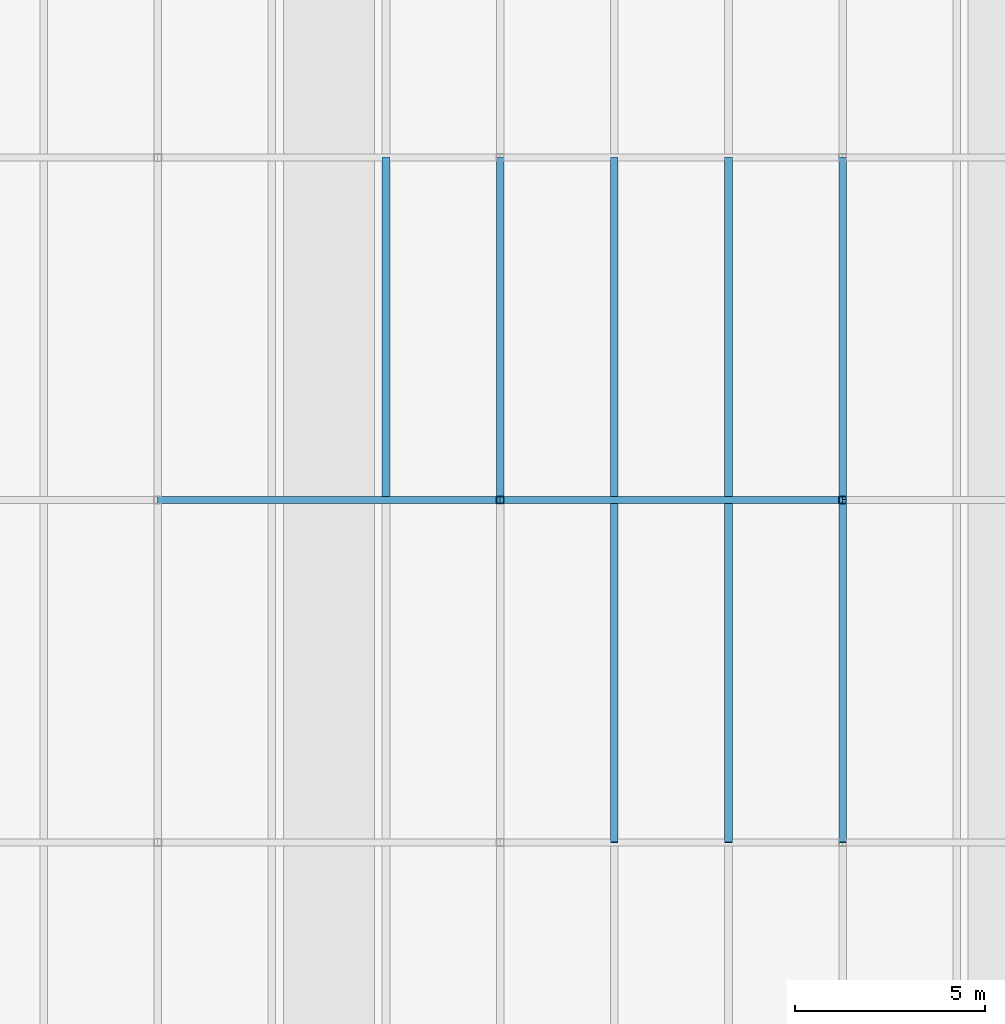
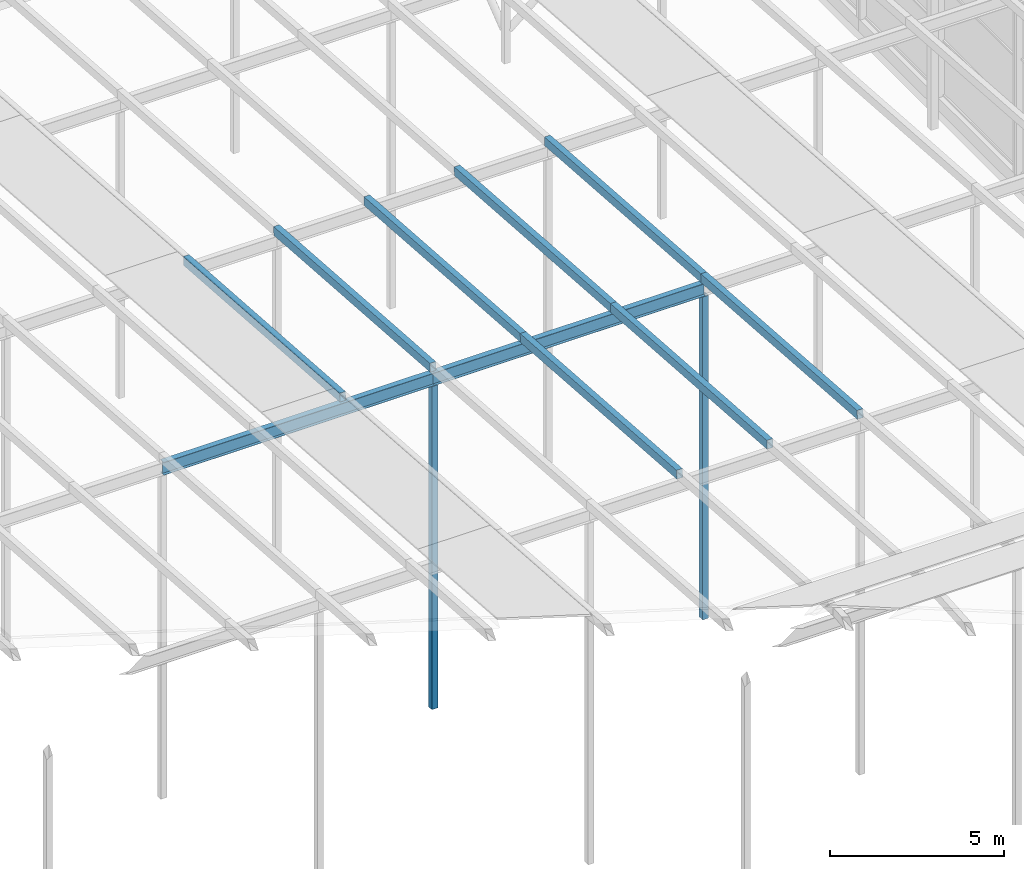
# One storey, part 40 of 84: 10 members, 2 beams.
"""IFC4 building model written with IfcOpenShell, lengths in metres."""

from ifc_helpers import new_model, si_unit, direction, frame, origin, origin_2d, place, context, subcontext, project, spatial, hollow_rectangle, i_section, extrude, material, material_profile, profile_set, type_object, element, save


model = new_model("IFC4")

# Units and contexts
model_context = context("Model", 3, precision=1e-05, world=origin(), true_north=direction((0.0, 1.0)))
body_context = subcontext(model_context, "Body", "Model", "MODEL_VIEW")
ifc_project = project(units=[si_unit("LENGTHUNIT", "METRE"), si_unit("AREAUNIT", "SQUARE_METRE"), si_unit("VOLUMEUNIT", "CUBIC_METRE"), si_unit("PLANEANGLEUNIT", "RADIAN"), si_unit("MASSUNIT", "GRAM", prefix="KILO")], contexts=[model_context])

# Site, building, storey
site_placement = place(None, origin())
site = spatial("IfcSite", under=ifc_project, at=site_placement, CompositionType="ELEMENT")
building_placement = place(site_placement, origin())
building = spatial("IfcBuilding", under=site, at=building_placement, Name="Silverbay Arena", CompositionType="ELEMENT")
storey_placement = place(building_placement, frame((0.0, 0.0, 47.10009765625)))
storey = spatial("IfcBuildingStorey", under=building, at=storey_placement, Name="ROOF", CompositionType="ELEMENT", Elevation=47.10009765625)

# Members
ifc_material_1 = material(Name="Steel S355", Category="steel")
ifc_material_profile_1 = material_profile(ifc_material_1, hollow_rectangle(XDim=0.199951171875, YDim=0.300048828125, WallThickness=0.00634765625, at=origin_2d()), Name="RHS 300x200x6.3")
ifc_profile_set_1 = profile_set([ifc_material_profile_1], Name="Steel S355")
member_type_1 = type_object("IfcMemberType", Name="Purlin RHS 300x200x6.3", PredefinedType="PURLIN", material=ifc_profile_set_1)
for number, where, z_axis, x_axis, name in (
    (1, (150.0, 99.0, 11.349609375), (0.0, 0.997400967367, -0.07205074805), (-1.0, 0.0, 0.0), "ROOF PURLIN crown line 24 bay 09"),
    (2, (153.0, 99.0, 11.349609375), (0.0, 0.997400967367, -0.07205074805), (-1.0, 0.0, 0.0), "ROOF PURLIN crown line 25 bay 09"),
    (3, (156.0, 90.0, 11.99951171875), (0.0, 0.997402911363, -0.072023832195), (-1.0, 0.0, 0.0), "ROOF PURLIN crown line 26 bay 08"),
    (4, (156.0, 99.0, 11.349609375), (0.0, 0.997400967367, -0.07205074805), (-1.0, 0.0, 0.0), "ROOF PURLIN crown line 26 bay 09"),
    (5, (159.0, 90.0, 11.99951171875), (0.0, 0.997402911363, -0.072023832195), (-1.0, 0.0, 0.0), "ROOF PURLIN crown line 27 bay 08"),
    (6, (159.0, 99.0, 11.349609375), (0.0, 0.997400967367, -0.07205074805), (-1.0, 0.0, 0.0), "ROOF PURLIN crown line 27 bay 09"),
    (7, (162.0, 90.0, 11.99951171875), (0.0, 0.997402911363, -0.072023832195), (-1.0, 0.0, 0.0), "ROOF PURLIN crown line 28 bay 08"),
    (8, (162.0, 99.0, 11.349609375), (0.0, 0.997400967367, -0.07205074805), (-1.0, 0.0, 0.0), "ROOF PURLIN crown line 28 bay 09"),
):
    element("IfcMember", number, at=place(storey_placement, frame(where, z_axis=z_axis, x_axis=x_axis)), inside=storey, type_object=member_type_1, Name=name, PredefinedType="PURLIN", context=body_context, shape_type="SweptSolid", body=[
        extrude(hollow_rectangle(XDim=0.199951171875, YDim=0.300048828125, WallThickness=0.00634765625, at=origin_2d()), origin(), (0.0, 0.0, 1.0), 9.0234375),
    ])

# Beams
ifc_material_2 = material(Name="Steel S355", Category="steel")
ifc_material_profile_2 = material_profile(ifc_material_2, i_section(OverallWidth=0.18994140625, OverallDepth=0.453369140625, WebThickness=0.008544921875, FlangeThickness=0.0126953125, at=origin_2d()), Name="UB 457x191x67")
ifc_profile_set_2 = profile_set([ifc_material_profile_2], Name="Steel S355")
beam_type = type_object("IfcBeamType", Name="Ring beam UB 457x191x67", PredefinedType="BEAM", material=ifc_profile_set_2)
for number, where, z_axis, x_axis, name in (
    (9, (144.0, 99.0, 10.972412109375), (1.0, 0.0, 0.0), (0.0, 1.0, 0.0), "RING BEAM crown row 09 17-18"),
    (10, (153.0, 99.0, 10.972412109375), (1.0, 0.0, 0.0), (0.0, 1.0, 0.0), "RING BEAM crown row 09 18-19"),
):
    element("IfcBeam", number, at=place(storey_placement, frame(where, z_axis=z_axis, x_axis=x_axis)), inside=storey, type_object=beam_type, Name=name, PredefinedType="BEAM", context=body_context, shape_type="SweptSolid", body=[
        extrude(i_section(OverallWidth=0.18994140625, OverallDepth=0.453369140625, WebThickness=0.008544921875, FlangeThickness=0.0126953125, at=origin_2d()), origin(), (0.0, 0.0, 1.0), 9.0),
    ])

# Members
ifc_material_3 = material(Name="Steel S355", Category="steel")
ifc_material_profile_3 = material_profile(ifc_material_3, hollow_rectangle(XDim=0.199951171875, YDim=0.199951171875, WallThickness=0.008056640625, at=origin_2d()), Name="SHS 200x200x8")
ifc_profile_set_3 = profile_set([ifc_material_profile_3], Name="Steel S355")
member_type_2 = type_object("IfcMemberType", Name="Roof post SHS 200x200x8", PredefinedType="POST", material=ifc_profile_set_3)
for number, where, z_axis, x_axis, name in (
    (11, (153.0, 99.0, -0.60009765625), (0.0, 0.0, 1.0), (1.0, 0.0, 0.0), "ROOF CROWN POST 18 row 09"),
    (12, (162.0, 99.0, -0.60009765625), (0.0, 0.0, 1.0), (1.0, 0.0, 0.0), "ROOF CROWN POST 19 row 09"),
):
    element("IfcMember", number, at=place(storey_placement, frame(where, z_axis=z_axis, x_axis=x_axis)), inside=storey, type_object=member_type_2, Name=name, PredefinedType="POST", context=body_context, shape_type="SweptSolid", body=[
        extrude(hollow_rectangle(XDim=0.199951171875, YDim=0.199951171875, WallThickness=0.008056640625, at=origin_2d()), origin(), (0.0, 0.0, 1.0), 11.345703125),
    ])

save(model, "model.ifc")
